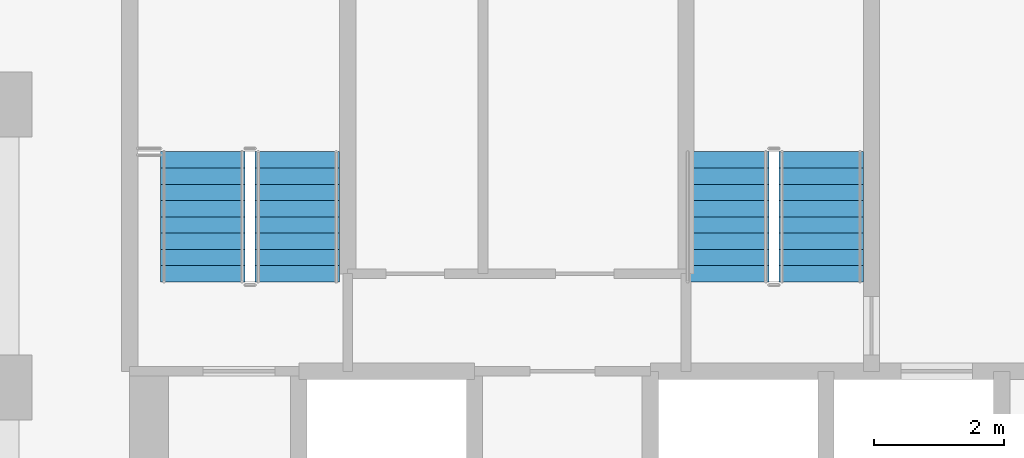
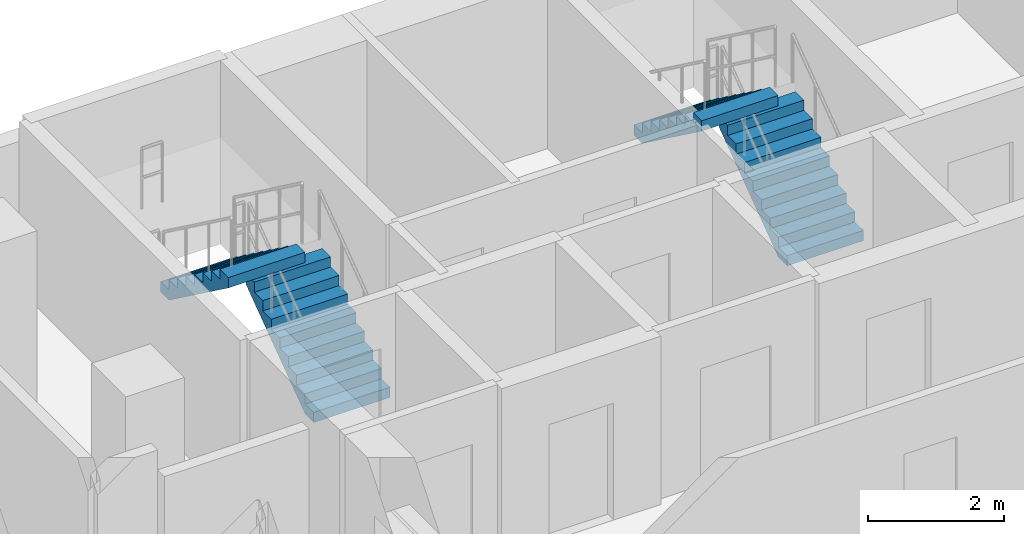
# One storey, part 9 of 13: 4 stair flights, 2 elements without a shape of their own.
"""IFC4 building model written with IfcOpenShell, lengths in metres."""

from ifc_helpers import new_model, si_unit, direction, frame, origin, place, context, subcontext, project, spatial, polyline, outline, extrude, material, type_object, element, aggregate, save


model = new_model("IFC4")

# Units and contexts
model_context = context("Model", 3, precision=1e-05, world=origin(), true_north=direction((0.0, 1.0)))
body_context = subcontext(model_context, "Body", "Model", "MODEL_VIEW")
ifc_project = project(units=[si_unit("LENGTHUNIT", "METRE"), si_unit("AREAUNIT", "SQUARE_METRE"), si_unit("VOLUMEUNIT", "CUBIC_METRE"), si_unit("PLANEANGLEUNIT", "RADIAN"), si_unit("MASSUNIT", "GRAM", prefix="KILO")], contexts=[model_context])

# Site, building, storey
site_placement = place(None, origin())
site = spatial("IfcSite", under=ifc_project, at=site_placement, CompositionType="ELEMENT")
building_placement = place(site_placement, origin())
building = spatial("IfcBuilding", under=site, at=building_placement, Name="Nakaniwa Court", CompositionType="ELEMENT")
storey_placement = place(building_placement, frame((0.0, 0.0, 137.10009765625)))
storey = spatial("IfcBuildingStorey", under=building, at=storey_placement, Name="L35", CompositionType="ELEMENT", Elevation=137.10009765625)

# Stair, stair flights
ifc_material = material(Name="Concrete C80/100", Category="concrete")
stair_type = type_object("IfcStairType", Name="Dog leg stair 1300 wide 18 risers", PredefinedType="HALF_TURN_STAIR", material=ifc_material)
stair_1_placement = place(storey_placement, origin())
stair_1 = element("IfcStair", 1, at=stair_1_placement, inside=storey, type_object=stair_type, Name="L35 Stair ST1", PredefinedType="HALF_TURN_STAIR")
stair_flight_type = type_object("IfcStairFlightType", Name="Stair flight 1300 wide 9 risers", PredefinedType="STRAIGHT", material=ifc_material)
stair_flight_1_placement = place(storey_placement, frame((74.574951171875, 98.27490234375, 0.0), z_axis=(0.0, 0.0, 1.0), x_axis=(0.0, 1.0, 0.0)))
stair_flight_1 = element("IfcStairFlight", 2, at=stair_flight_1_placement, type_object=stair_flight_type, Name="ST1 flight 1", NumberOfRisers=9, NumberOfTreads=8, PredefinedType="STRAIGHT", RiserHeight=0.183333333, TreadLength=0.25, context=body_context, shape_type="SweptSolid", body=[
    extrude(outline(polyline([(0.0, 0.0), (0.0, 0.026123046875), (0.0, 0.052490234375), (0.0, 0.07861328125), (0.0, 0.104736328125), (0.0, 0.130859375), (0.0, 0.1572265625), (0.0, 0.183349609375), (0.25, 0.183349609375), (0.25, 0.36669921875), (0.5, 0.36669921875), (0.5, 0.550048828125), (0.75, 0.550048828125), (0.75, 0.7333984375), (1.0, 0.7333984375), (1.0, 0.916748046875), (1.25, 0.916748046875), (1.25, 1.10009765625), (1.5, 1.10009765625), (1.5, 1.283447265625), (1.75, 1.283447265625), (1.75, 1.466552734375), (2.0, 1.466552734375), (2.0, 1.64990234375), (2.0, 1.59716796875), (2.0, 1.54443359375), (2.0, 1.49169921875), (2.0, 1.43896484375), (2.0, 1.38623046875), (2.0, 1.33349609375), (2.0, 1.28076171875), (0.25341796875, 0.0), (0.0, 0.0)])), frame((0.0, 0.64990234375, 0.0), z_axis=(0.0, -1.0, 0.0), x_axis=(1.0, 0.0, 0.0)), (0.0, 0.0, 1.0), 1.300048828125),
])
stair_flight_2_placement = place(storey_placement, frame((73.125, 100.27490234375, 1.64990234375), z_axis=(0.0, 0.0, 1.0), x_axis=(0.0, -1.0, 0.0)))
stair_flight_2 = element("IfcStairFlight", 3, at=stair_flight_2_placement, type_object=stair_flight_type, Name="ST1 flight 2", NumberOfRisers=9, NumberOfTreads=8, PredefinedType="STRAIGHT", RiserHeight=0.183333333, TreadLength=0.25, context=body_context, shape_type="SweptSolid", body=[
    extrude(outline(polyline([(0.0, 0.0), (0.0, 0.026123046875), (0.0, 0.052490234375), (0.0, 0.07861328125), (0.0, 0.104736328125), (0.0, 0.130859375), (0.0, 0.1572265625), (0.0, 0.183349609375), (0.25, 0.183349609375), (0.25, 0.36669921875), (0.5, 0.36669921875), (0.5, 0.550048828125), (0.75, 0.550048828125), (0.75, 0.7333984375), (1.0, 0.7333984375), (1.0, 0.916748046875), (1.25, 0.916748046875), (1.25, 1.10009765625), (1.5, 1.10009765625), (1.5, 1.283447265625), (1.75, 1.283447265625), (1.75, 1.466552734375), (2.0, 1.466552734375), (2.0, 1.64990234375), (2.0, 1.59716796875), (2.0, 1.54443359375), (2.0, 1.49169921875), (2.0, 1.43896484375), (2.0, 1.38623046875), (2.0, 1.33349609375), (2.0, 1.28076171875), (0.25341796875, 0.0), (0.0, 0.0)])), frame((0.0, 0.64990234375, 0.0), z_axis=(0.0, -1.0, 0.0), x_axis=(1.0, 0.0, 0.0)), (0.0, 0.0, 1.0), 1.300048828125),
])
aggregate(stair_1, [stair_flight_1, stair_flight_2])

stair_2_placement = place(storey_placement, origin())
stair_2 = element("IfcStair", 4, at=stair_2_placement, inside=storey, type_object=stair_type, Name="L35 Stair ST2", PredefinedType="HALF_TURN_STAIR")
stair_flight_3_placement = place(storey_placement, frame((82.625, 98.27490234375, 0.0), z_axis=(0.0, 0.0, 1.0), x_axis=(0.0, 1.0, 0.0)))
stair_flight_3 = element("IfcStairFlight", 5, at=stair_flight_3_placement, type_object=stair_flight_type, Name="ST2 flight 1", NumberOfRisers=9, NumberOfTreads=8, PredefinedType="STRAIGHT", RiserHeight=0.183333333, TreadLength=0.25, context=body_context, shape_type="SweptSolid", body=[
    extrude(outline(polyline([(0.0, 0.0), (0.0, 0.026123046875), (0.0, 0.052490234375), (0.0, 0.07861328125), (0.0, 0.104736328125), (0.0, 0.130859375), (0.0, 0.1572265625), (0.0, 0.183349609375), (0.25, 0.183349609375), (0.25, 0.36669921875), (0.5, 0.36669921875), (0.5, 0.550048828125), (0.75, 0.550048828125), (0.75, 0.7333984375), (1.0, 0.7333984375), (1.0, 0.916748046875), (1.25, 0.916748046875), (1.25, 1.10009765625), (1.5, 1.10009765625), (1.5, 1.283447265625), (1.75, 1.283447265625), (1.75, 1.466552734375), (2.0, 1.466552734375), (2.0, 1.64990234375), (2.0, 1.59716796875), (2.0, 1.54443359375), (2.0, 1.49169921875), (2.0, 1.43896484375), (2.0, 1.38623046875), (2.0, 1.33349609375), (2.0, 1.28076171875), (0.25341796875, 0.0), (0.0, 0.0)])), frame((0.0, 0.64990234375, 0.0), z_axis=(0.0, -1.0, 0.0), x_axis=(1.0, 0.0, 0.0)), (0.0, 0.0, 1.0), 1.300048828125),
])
stair_flight_4_placement = place(storey_placement, frame((81.175048828125, 100.27490234375, 1.64990234375), z_axis=(0.0, 0.0, 1.0), x_axis=(0.0, -1.0, 0.0)))
stair_flight_4 = element("IfcStairFlight", 6, at=stair_flight_4_placement, type_object=stair_flight_type, Name="ST2 flight 2", NumberOfRisers=9, NumberOfTreads=8, PredefinedType="STRAIGHT", RiserHeight=0.183333333, TreadLength=0.25, context=body_context, shape_type="SweptSolid", body=[
    extrude(outline(polyline([(0.0, 0.0), (0.0, 0.026123046875), (0.0, 0.052490234375), (0.0, 0.07861328125), (0.0, 0.104736328125), (0.0, 0.130859375), (0.0, 0.1572265625), (0.0, 0.183349609375), (0.25, 0.183349609375), (0.25, 0.36669921875), (0.5, 0.36669921875), (0.5, 0.550048828125), (0.75, 0.550048828125), (0.75, 0.7333984375), (1.0, 0.7333984375), (1.0, 0.916748046875), (1.25, 0.916748046875), (1.25, 1.10009765625), (1.5, 1.10009765625), (1.5, 1.283447265625), (1.75, 1.283447265625), (1.75, 1.466552734375), (2.0, 1.466552734375), (2.0, 1.64990234375), (2.0, 1.59716796875), (2.0, 1.54443359375), (2.0, 1.49169921875), (2.0, 1.43896484375), (2.0, 1.38623046875), (2.0, 1.33349609375), (2.0, 1.28076171875), (0.25341796875, 0.0), (0.0, 0.0)])), frame((0.0, 0.64990234375, 0.0), z_axis=(0.0, -1.0, 0.0), x_axis=(1.0, 0.0, 0.0)), (0.0, 0.0, 1.0), 1.300048828125),
])
aggregate(stair_2, [stair_flight_3, stair_flight_4])

save(model, "model.ifc")
